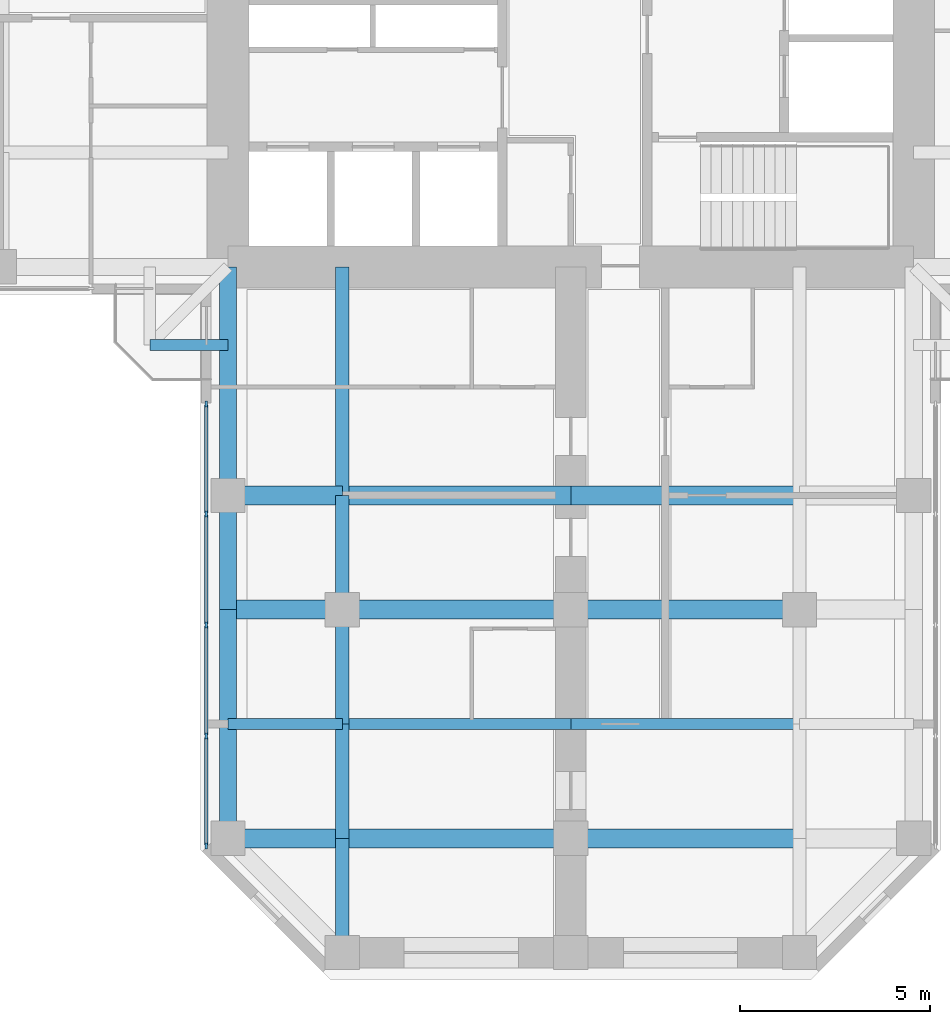
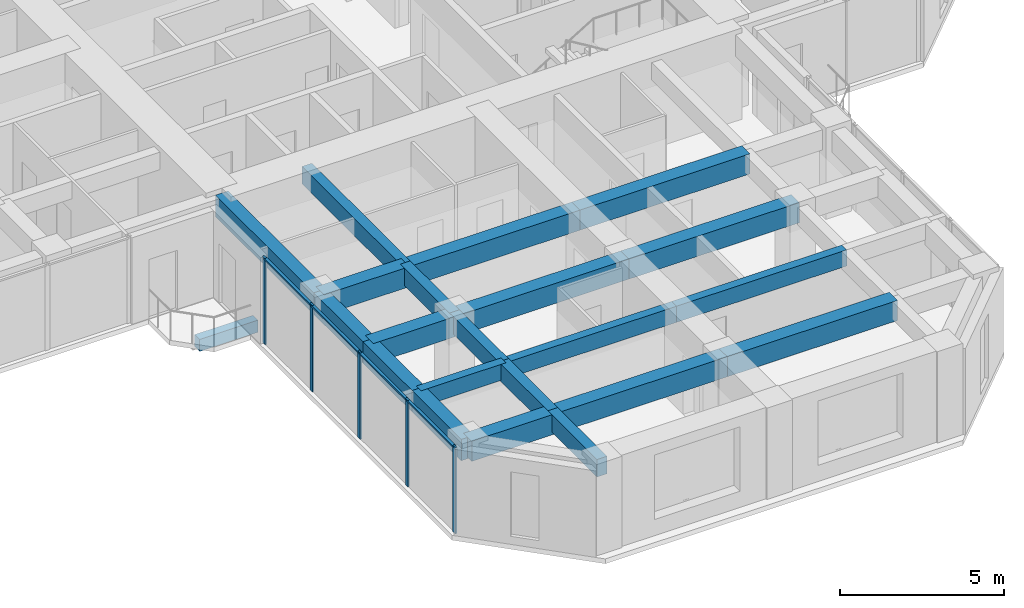
# One storey, part 2 of 14: 22 beams, 9 members, 1 element without a shape of its own.
"""IFC4 building model written with IfcOpenShell, lengths in metres."""

from ifc_helpers import new_model, si_unit, direction, frame, origin, origin_2d, place, context, subcontext, project, spatial, rectangle, extrude, material, material_profile, profile_set, type_object, element, aggregate, save


model = new_model("IFC4")

# Units and contexts
model_context = context("Model", 3, precision=1e-05, world=origin(), true_north=direction((0.0, 1.0)))
body_context = subcontext(model_context, "Body", "Model", "MODEL_VIEW")
ifc_project = project(units=[si_unit("LENGTHUNIT", "METRE"), si_unit("AREAUNIT", "SQUARE_METRE"), si_unit("VOLUMEUNIT", "CUBIC_METRE"), si_unit("PLANEANGLEUNIT", "RADIAN"), si_unit("MASSUNIT", "GRAM", prefix="KILO")], contexts=[model_context])

# Site, building, storey
site_placement = place(None, origin())
site = spatial("IfcSite", under=ifc_project, at=site_placement, CompositionType="ELEMENT")
building_placement = place(site_placement, origin())
building = spatial("IfcBuilding", under=site, at=building_placement, Name="Torre Cruceta", CompositionType="ELEMENT")
storey_placement = place(building_placement, frame((0.0, 0.0, 183.10009765625)))
storey = spatial("IfcBuildingStorey", under=building, at=storey_placement, Name="L45", CompositionType="ELEMENT", Elevation=183.10009765625)

# Beams
ifc_material_1 = material(Name="Concrete G60 (fck 60 MPa)", Category="concrete")
ifc_material_profile_1 = material_profile(ifc_material_1, rectangle(XDim=0.300048828125, YDim=0.449951171875, at=origin_2d()), Name="RC 300X450")
ifc_profile_set_1 = profile_set([ifc_material_profile_1], Name="Concrete G60 (fck 60 MPa)")
beam_type_1 = type_object("IfcBeamType", Name="BALCONY CANTILEVER BEAM RC 300X450", PredefinedType="BEAM", material=ifc_profile_set_1)
beam_1_placement = place(storey_placement, frame((-9.0, -11.050537109375, -0.405029296875), z_axis=(-1.0, 0.0, 0.0), x_axis=(0.0, -1.0, 0.0)))
element("IfcBeam", 1, at=beam_1_placement, inside=storey, type_object=beam_type_1, Name="BB1 balcony edge beam L45 W-Y", PredefinedType="BEAM", context=body_context, shape_type="SweptSolid", body=[
    extrude(rectangle(XDim=0.300048828125, YDim=0.449951171875, at=origin_2d()), origin(), (0.0, 0.0, 1.0), 2.050537109375),
])
ifc_material_2 = material(Name="Concrete G60 (fck 60 MPa)", Category="concrete")
ifc_material_profile_2 = material_profile(ifc_material_2, rectangle(XDim=0.35009765625, YDim=0.64990234375, at=origin_2d()), Name="RC 350X650")
ifc_profile_set_2 = profile_set([ifc_material_profile_2], Name="Concrete G60 (fck 60 MPa)")
beam_type_2 = type_object("IfcBeamType", Name="COLUMN LINE BEAM RC 350X650", PredefinedType="BEAM", material=ifc_profile_set_2)
beam_2_placement = place(storey_placement, frame((-6.0, -9.0, 2.89501953125), z_axis=(0.0, -1.0, 0.0), x_axis=(1.0, 0.0, 0.0)))
element("IfcBeam", 2, at=beam_2_placement, inside=storey, type_object=beam_type_2, Name="LB7 L45 S col- 1", PredefinedType="BEAM", context=body_context, shape_type="SweptSolid", body=[
    extrude(rectangle(XDim=0.35009765625, YDim=0.64990234375, at=origin_2d()), origin(), (0.0, 0.0, 1.0), 6.0),
])
for number, where, z_axis, x_axis, name in (
    (3, (-6.0, -15.0, 2.89501953125), (0.0, -1.0, 0.0), (1.0, 0.0, 0.0), "LB7 L45 S col- 2"),
    (4, (-6.0, -18.0, 2.89501953125), (0.0, -1.0, 0.0), (1.0, 0.0, 0.0), "LB7 L45 S col- 3"),
    (5, (-6.0, -21.0, 2.89501953125), (0.0, -1.0, 0.0), (1.0, 0.0, 0.0), "LB7 L45 S col- 4"),
    (6, (-6.0, -24.0, 2.89501953125), (0.0, -1.0, 0.0), (1.0, 0.0, 0.0), "LB7 L45 S col- 5"),
):
    element("IfcBeam", number, at=place(storey_placement, frame(where, z_axis=z_axis, x_axis=x_axis)), inside=storey, type_object=beam_type_2, Name=name, PredefinedType="BEAM", context=body_context, shape_type="SweptSolid", body=[
        extrude(rectangle(XDim=0.35009765625, YDim=0.64990234375, at=origin_2d()), origin(), (0.0, 0.0, 1.0), 3.0),
    ])
ifc_material_3 = material(Name="Concrete G60 (fck 60 MPa)", Category="concrete")
ifc_material_profile_3 = material_profile(ifc_material_3, rectangle(XDim=0.5, YDim=0.75, at=origin_2d()), Name="RC 500X750")
ifc_profile_set_3 = profile_set([ifc_material_profile_3], Name="Concrete G60 (fck 60 MPa)")
beam_type_3 = type_object("IfcBeamType", Name="CROSS BEAM RC 500X750", PredefinedType="BEAM", material=ifc_profile_set_3)
beam_3_placement = place(storey_placement, frame((-9.0, -15.0, 2.844970703125), z_axis=(1.0, 0.0, 0.0), x_axis=(0.0, 1.0, 0.0)))
element("IfcBeam", 7, at=beam_3_placement, inside=storey, type_object=beam_type_3, Name="GB6 L45 S cross15 1", PredefinedType="BEAM", context=body_context, shape_type="SweptSolid", body=[
    extrude(rectangle(XDim=0.5, YDim=0.75, at=origin_2d()), origin(), (0.0, 0.0, 1.0), 3.0),
])
for number, where, z_axis, x_axis, name in (
    (8, (-6.0, -15.0, 2.844970703125), (1.0, 0.0, 0.0), (0.0, 1.0, 0.0), "GB6 L45 S cross15 2"),
    (9, (0.0, -15.0, 2.844970703125), (1.0, 0.0, 0.0), (0.0, 1.0, 0.0), "GB6 L45 S cross15 3"),
):
    element("IfcBeam", number, at=place(storey_placement, frame(where, z_axis=z_axis, x_axis=x_axis)), inside=storey, type_object=beam_type_3, Name=name, PredefinedType="BEAM", context=body_context, shape_type="SweptSolid", body=[
        extrude(rectangle(XDim=0.5, YDim=0.75, at=origin_2d()), origin(), (0.0, 0.0, 1.0), 6.0),
    ])
beam_4_placement = place(storey_placement, frame((-9.0, -18.0, 2.844970703125), z_axis=(1.0, 0.0, 0.0), x_axis=(0.0, 1.0, 0.0)))
element("IfcBeam", 10, at=beam_4_placement, inside=storey, type_object=beam_type_3, Name="GB6 L45 S cross18 1", PredefinedType="BEAM", context=body_context, shape_type="SweptSolid", body=[
    extrude(rectangle(XDim=0.5, YDim=0.75, at=origin_2d()), origin(), (0.0, 0.0, 1.0), 3.0),
])
for number, where, z_axis, x_axis, name in (
    (11, (-6.0, -18.0, 2.844970703125), (1.0, 0.0, 0.0), (0.0, 1.0, 0.0), "GB6 L45 S cross18 2"),
    (12, (0.0, -18.0, 2.844970703125), (1.0, 0.0, 0.0), (0.0, 1.0, 0.0), "GB6 L45 S cross18 3"),
):
    element("IfcBeam", number, at=place(storey_placement, frame(where, z_axis=z_axis, x_axis=x_axis)), inside=storey, type_object=beam_type_3, Name=name, PredefinedType="BEAM", context=body_context, shape_type="SweptSolid", body=[
        extrude(rectangle(XDim=0.5, YDim=0.75, at=origin_2d()), origin(), (0.0, 0.0, 1.0), 6.0),
    ])
beam_5_placement = place(storey_placement, frame((-9.0, -24.0, 2.844970703125), z_axis=(1.0, 0.0, 0.0), x_axis=(0.0, 1.0, 0.0)))
element("IfcBeam", 13, at=beam_5_placement, inside=storey, type_object=beam_type_3, Name="GB6 L45 S cross24 1", PredefinedType="BEAM", context=body_context, shape_type="SweptSolid", body=[
    extrude(rectangle(XDim=0.5, YDim=0.75, at=origin_2d()), origin(), (0.0, 0.0, 1.0), 3.0),
])
for number, where, z_axis, x_axis, name in (
    (14, (-6.0, -24.0, 2.844970703125), (1.0, 0.0, 0.0), (0.0, 1.0, 0.0), "GB6 L45 S cross24 2"),
    (15, (0.0, -24.0, 2.844970703125), (1.0, 0.0, 0.0), (0.0, 1.0, 0.0), "GB6 L45 S cross24 3"),
):
    element("IfcBeam", number, at=place(storey_placement, frame(where, z_axis=z_axis, x_axis=x_axis)), inside=storey, type_object=beam_type_3, Name=name, PredefinedType="BEAM", context=body_context, shape_type="SweptSolid", body=[
        extrude(rectangle(XDim=0.5, YDim=0.75, at=origin_2d()), origin(), (0.0, 0.0, 1.0), 6.0),
    ])

# Curtain wall, members
ifc_material_4 = material(Name="Aluminium unitised curtain wall", Category="aluminium")
curtain_wall_type = type_object("IfcCurtainWallType", Name="CURTAIN WALL CW-C CO-LIVING", PredefinedType="USERDEFINED", material=ifc_material_4)
curtain_wall_placement = place(storey_placement, origin())
curtain_wall = element("IfcCurtainWall", 16, at=curtain_wall_placement, inside=storey, type_object=curtain_wall_type, Name="CW-C L45 S side 15", ObjectType="UNITISED", PredefinedType="USERDEFINED")
ifc_material_5 = material(Name="Aluminium mullion", Category="aluminium")
ifc_material_profile_4 = material_profile(ifc_material_5, rectangle(XDim=0.06005859375, YDim=0.159912109375, at=origin_2d()), Name="AL 60X160")
ifc_profile_set_4 = profile_set([ifc_material_profile_4], Name="Aluminium mullion")
member_type_1 = type_object("IfcMemberType", Name="CW-C MULLION 60X160", PredefinedType="MULLION", material=ifc_profile_set_4)
member_1_placement = place(storey_placement, frame((-9.570068359375, -12.60009765625, 0.0), z_axis=(0.0, 0.0, 1.0), x_axis=(1.0, 0.0, 0.0)))
member_1 = element("IfcMember", 17, at=member_1_placement, type_object=member_type_1, Name="CW-C mullion 1", PredefinedType="MULLION", context=body_context, shape_type="SweptSolid", body=[
    extrude(rectangle(XDim=0.06005859375, YDim=0.159912109375, at=origin_2d()), origin(), (0.0, 0.0, 1.0), 3.219970703125),
])
member_2_placement = place(storey_placement, frame((-9.570068359375, -15.486572265625, 0.0), z_axis=(0.0, 0.0, 1.0), x_axis=(1.0, 0.0, 0.0)))
member_2 = element("IfcMember", 18, at=member_2_placement, type_object=member_type_1, Name="CW-C mullion 2", PredefinedType="MULLION", context=body_context, shape_type="SweptSolid", body=[
    extrude(rectangle(XDim=0.06005859375, YDim=0.159912109375, at=origin_2d()), origin(), (0.0, 0.0, 1.0), 3.219970703125),
])
member_3_placement = place(storey_placement, frame((-9.570068359375, -18.403076171875, 0.0), z_axis=(0.0, 0.0, 1.0), x_axis=(1.0, 0.0, 0.0)))
member_3 = element("IfcMember", 19, at=member_3_placement, type_object=member_type_1, Name="CW-C mullion 3", PredefinedType="MULLION", context=body_context, shape_type="SweptSolid", body=[
    extrude(rectangle(XDim=0.06005859375, YDim=0.159912109375, at=origin_2d()), origin(), (0.0, 0.0, 1.0), 3.219970703125),
])
member_4_placement = place(storey_placement, frame((-9.570068359375, -21.319580078125, 0.0), z_axis=(0.0, 0.0, 1.0), x_axis=(1.0, 0.0, 0.0)))
member_4 = element("IfcMember", 20, at=member_4_placement, type_object=member_type_1, Name="CW-C mullion 4", PredefinedType="MULLION", context=body_context, shape_type="SweptSolid", body=[
    extrude(rectangle(XDim=0.06005859375, YDim=0.159912109375, at=origin_2d()), origin(), (0.0, 0.0, 1.0), 3.219970703125),
])
member_5_placement = place(storey_placement, frame((-9.570068359375, -24.2060546875, 0.0), z_axis=(0.0, 0.0, 1.0), x_axis=(1.0, 0.0, 0.0)))
member_5 = element("IfcMember", 21, at=member_5_placement, type_object=member_type_1, Name="CW-C mullion 5", PredefinedType="MULLION", context=body_context, shape_type="SweptSolid", body=[
    extrude(rectangle(XDim=0.06005859375, YDim=0.159912109375, at=origin_2d()), origin(), (0.0, 0.0, 1.0), 3.219970703125),
])
ifc_material_6 = material(Name="Aluminium transom", Category="aluminium")
ifc_material_profile_5 = material_profile(ifc_material_6, rectangle(XDim=0.10009765625, YDim=0.06005859375, at=origin_2d()), Name="AL 100X60")
ifc_profile_set_5 = profile_set([ifc_material_profile_5], Name="Aluminium transom")
member_type_2 = type_object("IfcMemberType", Name="CW-C TRANSOM 60X100", PredefinedType="USERDEFINED", material=ifc_profile_set_5)
member_6_placement = place(storey_placement, frame((-9.570068359375, -12.6298828125, 3.18994140625), z_axis=(0.0, -1.0, 0.0), x_axis=(1.0, 0.0, 0.0)))
member_6 = element("IfcMember", 22, at=member_6_placement, type_object=member_type_2, Name="CW-C transom 1", ObjectType="TRANSOM", PredefinedType="USERDEFINED", context=body_context, shape_type="SweptSolid", body=[
    extrude(rectangle(XDim=0.10009765625, YDim=0.06005859375, at=origin_2d()), origin(), (0.0, 0.0, 1.0), 2.82666015625),
])
member_7_placement = place(storey_placement, frame((-9.570068359375, -15.5166015625, 3.18994140625), z_axis=(0.0, -1.0, 0.0), x_axis=(1.0, 0.0, 0.0)))
member_7 = element("IfcMember", 23, at=member_7_placement, type_object=member_type_2, Name="CW-C transom 2", ObjectType="TRANSOM", PredefinedType="USERDEFINED", context=body_context, shape_type="SweptSolid", body=[
    extrude(rectangle(XDim=0.10009765625, YDim=0.06005859375, at=origin_2d()), origin(), (0.0, 0.0, 1.0), 2.8564453125),
])
member_8_placement = place(storey_placement, frame((-9.570068359375, -18.43310546875, 3.18994140625), z_axis=(0.0, -1.0, 0.0), x_axis=(1.0, 0.0, 0.0)))
member_8 = element("IfcMember", 24, at=member_8_placement, type_object=member_type_2, Name="CW-C transom 3", ObjectType="TRANSOM", PredefinedType="USERDEFINED", context=body_context, shape_type="SweptSolid", body=[
    extrude(rectangle(XDim=0.10009765625, YDim=0.06005859375, at=origin_2d()), origin(), (0.0, 0.0, 1.0), 2.8564453125),
])
member_9_placement = place(storey_placement, frame((-9.570068359375, -21.349609375, 3.18994140625), z_axis=(0.0, -1.0, 0.0), x_axis=(1.0, 0.0, 0.0)))
member_9 = element("IfcMember", 25, at=member_9_placement, type_object=member_type_2, Name="CW-C transom 4", ObjectType="TRANSOM", PredefinedType="USERDEFINED", context=body_context, shape_type="SweptSolid", body=[
    extrude(rectangle(XDim=0.10009765625, YDim=0.06005859375, at=origin_2d()), origin(), (0.0, 0.0, 1.0), 2.826416015625),
])
aggregate(curtain_wall, [member_1, member_2, member_3, member_4, member_5, member_6, member_7, member_8, member_9])

# Beams
ifc_material_7 = material(Name="Concrete G60 (fck 60 MPa)", Category="concrete")
ifc_material_profile_6 = material_profile(ifc_material_7, rectangle(XDim=0.300048828125, YDim=0.60009765625, at=origin_2d()), Name="RC 300X600")
ifc_profile_set_6 = profile_set([ifc_material_profile_6], Name="Concrete G60 (fck 60 MPa)")
beam_type_4 = type_object("IfcBeamType", Name="SECONDARY BEAM RC 300X600", PredefinedType="JOIST", material=ifc_profile_set_6)
beam_6_placement = place(storey_placement, frame((-9.0, -21.0, 2.919921875), z_axis=(1.0, 0.0, 0.0), x_axis=(0.0, 1.0, 0.0)))
element("IfcBeam", 26, at=beam_6_placement, inside=storey, type_object=beam_type_4, Name="JB6 L45 S sec21 1", PredefinedType="JOIST", context=body_context, shape_type="SweptSolid", body=[
    extrude(rectangle(XDim=0.300048828125, YDim=0.60009765625, at=origin_2d()), origin(), (0.0, 0.0, 1.0), 3.0),
])
for number, where, z_axis, x_axis, name in (
    (27, (-6.0, -21.0, 2.919921875), (1.0, 0.0, 0.0), (0.0, 1.0, 0.0), "JB6 L45 S sec21 2"),
    (28, (0.0, -21.0, 2.919921875), (1.0, 0.0, 0.0), (0.0, 1.0, 0.0), "JB6 L45 S sec21 3"),
):
    element("IfcBeam", number, at=place(storey_placement, frame(where, z_axis=z_axis, x_axis=x_axis)), inside=storey, type_object=beam_type_4, Name=name, PredefinedType="JOIST", context=body_context, shape_type="SweptSolid", body=[
        extrude(rectangle(XDim=0.300048828125, YDim=0.60009765625, at=origin_2d()), origin(), (0.0, 0.0, 1.0), 6.0),
    ])
ifc_material_8 = material(Name="Concrete G60 (fck 60 MPa)", Category="concrete")
ifc_material_profile_7 = material_profile(ifc_material_8, rectangle(XDim=0.449951171875, YDim=0.800048828125, at=origin_2d()), Name="RC 450X800")
ifc_profile_set_7 = profile_set([ifc_material_profile_7], Name="Concrete G60 (fck 60 MPa)")
beam_type_5 = type_object("IfcBeamType", Name="SPANDREL BEAM RC 450X800", PredefinedType="SPANDREL", material=ifc_profile_set_7)
beam_7_placement = place(storey_placement, frame((-9.0, -9.0, 2.81982421875), z_axis=(0.0, -1.0, 0.0), x_axis=(1.0, 0.0, 0.0)))
element("IfcBeam", 29, at=beam_7_placement, inside=storey, type_object=beam_type_5, Name="SB6 L45 S side- 1", PredefinedType="SPANDREL", context=body_context, shape_type="SweptSolid", body=[
    extrude(rectangle(XDim=0.449951171875, YDim=0.800048828125, at=origin_2d()), origin(), (0.0, 0.0, 1.0), 6.0),
])
for number, where, z_axis, x_axis, name in (
    (30, (-9.0, -15.0, 2.81982421875), (0.0, -1.0, 0.0), (1.0, 0.0, 0.0), "SB6 L45 S side- 2"),
    (31, (-9.0, -18.0, 2.81982421875), (0.0, -1.0, 0.0), (1.0, 0.0, 0.0), "SB6 L45 S side- 3"),
    (32, (-9.0, -21.0, 2.81982421875), (0.0, -1.0, 0.0), (1.0, 0.0, 0.0), "SB6 L45 S side- 4"),
):
    element("IfcBeam", number, at=place(storey_placement, frame(where, z_axis=z_axis, x_axis=x_axis)), inside=storey, type_object=beam_type_5, Name=name, PredefinedType="SPANDREL", context=body_context, shape_type="SweptSolid", body=[
        extrude(rectangle(XDim=0.449951171875, YDim=0.800048828125, at=origin_2d()), origin(), (0.0, 0.0, 1.0), 3.0),
    ])

save(model, "model.ifc")
